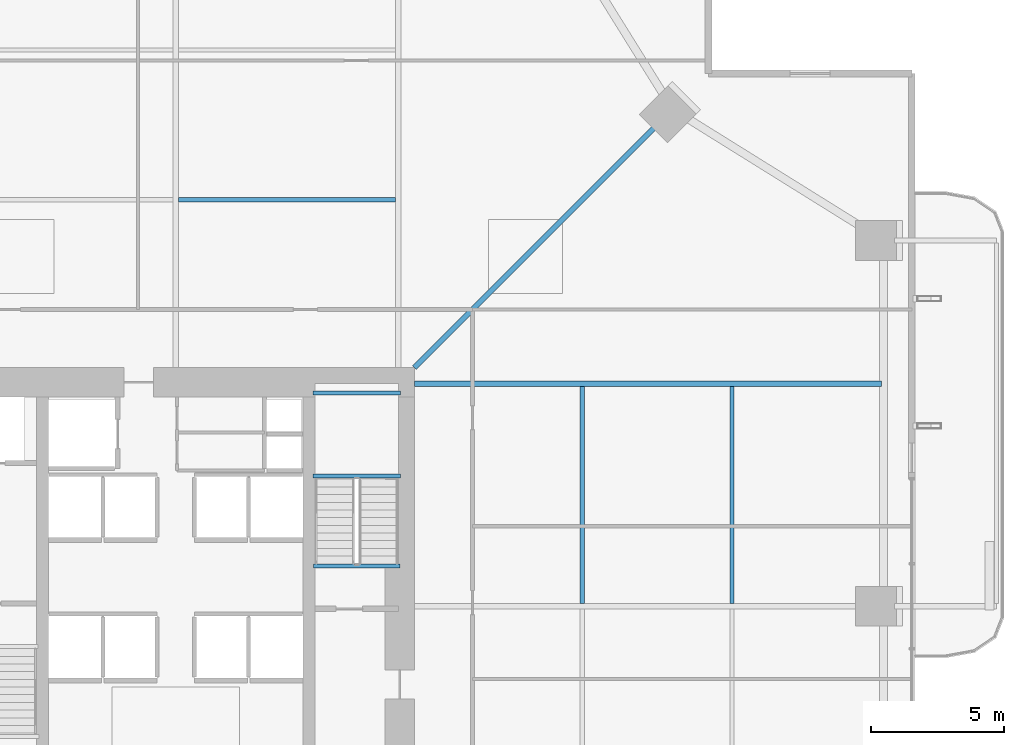
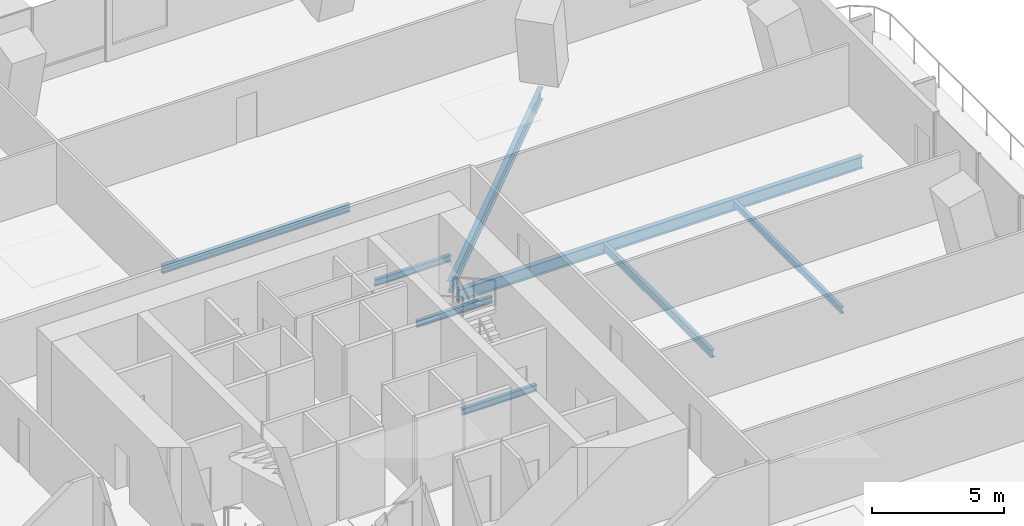
# One storey, part 12 of 24: 8 beams.
"""IFC4 building model written with IfcOpenShell, lengths in metres."""

from ifc_helpers import new_model, si_unit, direction, frame, origin, origin_2d, place, context, subcontext, project, spatial, i_section, extrude, material, material_profile, profile_set, type_object, element, save


model = new_model("IFC4")

# Units and contexts
model_context = context("Model", 3, precision=1e-05, world=origin(), true_north=direction((0.0, 1.0)))
body_context = subcontext(model_context, "Body", "Model", "MODEL_VIEW")
ifc_project = project(units=[si_unit("LENGTHUNIT", "METRE"), si_unit("AREAUNIT", "SQUARE_METRE"), si_unit("VOLUMEUNIT", "CUBIC_METRE"), si_unit("PLANEANGLEUNIT", "RADIAN"), si_unit("MASSUNIT", "GRAM", prefix="KILO")], contexts=[model_context])

# Site, building, storey
site_placement = place(None, origin())
site = spatial("IfcSite", under=ifc_project, at=site_placement, CompositionType="ELEMENT")
building_placement = place(site_placement, origin())
building = spatial("IfcBuilding", under=site, at=building_placement, Name="Belovzor Exchange Tower", CompositionType="ELEMENT")
storey_placement = place(building_placement, frame((0.0, 0.0, 104.10009765625)))
storey = spatial("IfcBuildingStorey", under=building, at=storey_placement, Name="L25", CompositionType="ELEMENT", Elevation=104.10009765625)

# Beams
ifc_material_1 = material(Name="Steel S355", Category="steel")
ifc_material_profile_1 = material_profile(ifc_material_1, i_section(OverallWidth=0.169921875, OverallDepth=0.360107421875, WebThickness=0.008056640625, FlangeThickness=0.0126953125, at=origin_2d()))
ifc_profile_set_1 = profile_set([ifc_material_profile_1], Name="Steel S355")
beam_type_1 = type_object("IfcBeamType", Name="Secondary Infill Floor Joist IPE 360", PredefinedType="BEAM", material=ifc_profile_set_1)
for number, where, z_axis, x_axis, name in (
    (1, (28.905029296875, 44.14501953125, -0.43017578125), (1.0, 0.0, 0.0), (0.0, 1.0, 0.0), "FJ-360 Secondary Infill Floor Joist IPE 360"),
    (2, (44.14501953125, 28.905029296875, -0.43017578125), (0.0, 1.0, 0.0), (-1.0, 0.0, 0.0), "FJ-360 Secondary Infill Floor Joist IPE 360"),
):
    element("IfcBeam", number, at=place(storey_placement, frame(where, z_axis=z_axis, x_axis=x_axis)), inside=storey, type_object=beam_type_1, Name=name, PredefinedType="BEAM", context=body_context, shape_type="SweptSolid", body=[
        extrude(i_section(OverallWidth=0.169921875, OverallDepth=0.360107421875, WebThickness=0.008056640625, FlangeThickness=0.0126953125, at=origin_2d()), origin(), (0.0, 0.0, 1.0), 8.18994140625),
    ])
ifc_material_2 = material(Name="Steel S355", Category="steel")
ifc_material_profile_2 = material_profile(ifc_material_2, i_section(OverallWidth=0.14990234375, OverallDepth=0.300048828125, WebThickness=0.007080078125, FlangeThickness=0.0107421875, at=origin_2d()))
ifc_profile_set_2 = profile_set([ifc_material_profile_2], Name="Steel S355")
beam_type_2 = type_object("IfcBeamType", Name="Secondary Trim Floor Joist IPE 300", PredefinedType="BEAM", material=ifc_profile_set_2)
for number, where, z_axis, x_axis, name in (
    (3, (37.280029296875, 33.7099609375, 1.599853515625), (-1.0, 0.0, 0.0), (0.0, -1.0, 0.0), "FJ-300 Secondary Trim Floor Joist IPE 300"),
    (4, (37.280029296875, 36.85009765625, 1.599853515625), (-1.0, 0.0, 0.0), (0.0, -1.0, 0.0), "FJ-300 Secondary Trim Floor Joist IPE 300"),
):
    element("IfcBeam", number, at=place(storey_placement, frame(where, z_axis=z_axis, x_axis=x_axis)), inside=storey, type_object=beam_type_2, Name=name, PredefinedType="BEAM", context=body_context, shape_type="SweptSolid", body=[
        extrude(i_section(OverallWidth=0.14990234375, OverallDepth=0.300048828125, WebThickness=0.007080078125, FlangeThickness=0.0107421875, at=origin_2d()), origin(), (0.0, 0.0, 1.0), 3.31005859375),
    ])
beam_1_placement = place(storey_placement, frame((37.260009765625, 30.320068359375, -0.400146484375), z_axis=(-1.0, 0.0, 0.0), x_axis=(0.0, -1.0, 0.0)))
element("IfcBeam", 5, at=beam_1_placement, inside=storey, type_object=beam_type_2, Name="FJ-300 Secondary Trim Floor Joist IPE 300", PredefinedType="BEAM", context=body_context, shape_type="SweptSolid", body=[
    extrude(i_section(OverallWidth=0.14990234375, OverallDepth=0.300048828125, WebThickness=0.007080078125, FlangeThickness=0.0107421875, at=origin_2d()), origin(), (0.0, 0.0, 1.0), 3.27001953125),
])
beam_2_placement = place(storey_placement, frame((49.784912109375, 28.905029296875, -0.400146484375), z_axis=(0.0, 1.0, 0.0), x_axis=(-1.0, 0.0, 0.0)))
element("IfcBeam", 6, at=beam_2_placement, inside=storey, type_object=beam_type_2, Name="FJ-300 Secondary Trim Floor Joist IPE 300", PredefinedType="BEAM", context=body_context, shape_type="SweptSolid", body=[
    extrude(i_section(OverallWidth=0.14990234375, OverallDepth=0.300048828125, WebThickness=0.007080078125, FlangeThickness=0.0107421875, at=origin_2d()), origin(), (0.0, 0.0, 1.0), 8.18994140625),
])
ifc_material_3 = material(Name="Steel S355", Category="steel")
ifc_material_profile_3 = material_profile(ifc_material_3, i_section(OverallWidth=0.2099609375, OverallDepth=0.550048828125, WebThickness=0.010986328125, FlangeThickness=0.01708984375, at=origin_2d()))
ifc_profile_set_3 = profile_set([ifc_material_profile_3], Name="Steel S355")
beam_type_3 = type_object("IfcBeamType", Name="Zone 1 Radial Composite Floor Beam IPE 550", PredefinedType="BEAM", material=ifc_profile_set_3)
beam_3_placement = place(storey_placement, frame((37.800048828125, 37.199951171875, -0.525146484375), z_axis=(1.0, 0.0, 0.0), x_axis=(0.0, 1.0, 0.0)))
element("IfcBeam", 7, at=beam_3_placement, inside=storey, type_object=beam_type_3, Name="FB-550 Zone 1 Radial Composite Floor Beam IPE 550", PredefinedType="BEAM", context=body_context, shape_type="SweptSolid", body=[
    extrude(i_section(OverallWidth=0.2099609375, OverallDepth=0.550048828125, WebThickness=0.010986328125, FlangeThickness=0.01708984375, at=origin_2d()), origin(), (0.0, 0.0, 1.0), 17.625),
])
beam_4_placement = place(storey_placement, frame((37.800048828125, 37.800048828125, -0.525146484375), z_axis=(0.707106781187, 0.707106781187, 0.0), x_axis=(-0.707106781187, 0.707106781187, 0.0)))
element("IfcBeam", 8, at=beam_4_placement, inside=storey, type_object=beam_type_3, Name="FB-550 Zone 1 Radial Composite Floor Beam IPE 550", PredefinedType="BEAM", context=body_context, shape_type="SweptSolid", body=[
    extrude(i_section(OverallWidth=0.2099609375, OverallDepth=0.550048828125, WebThickness=0.010986328125, FlangeThickness=0.01708984375, at=origin_2d()), origin(), (0.0, 0.0, 1.0), 13.25830078125),
])

save(model, "model.ifc")
